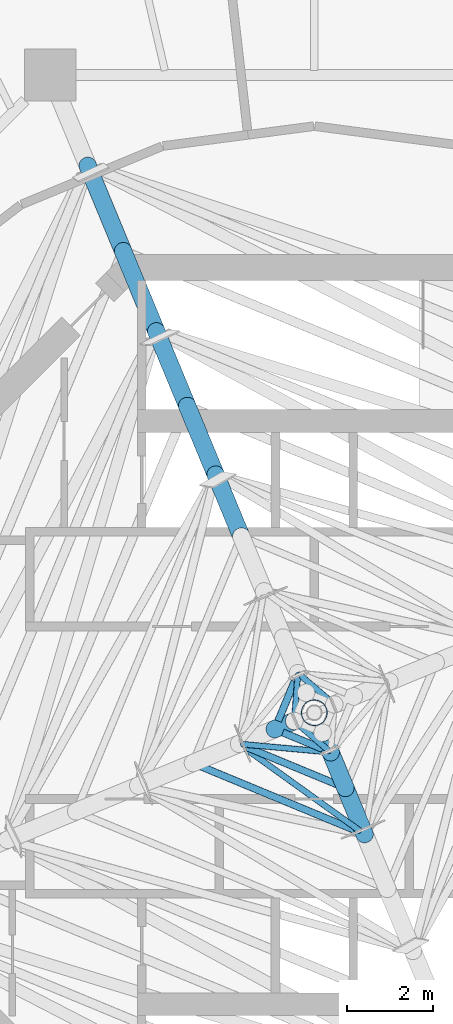
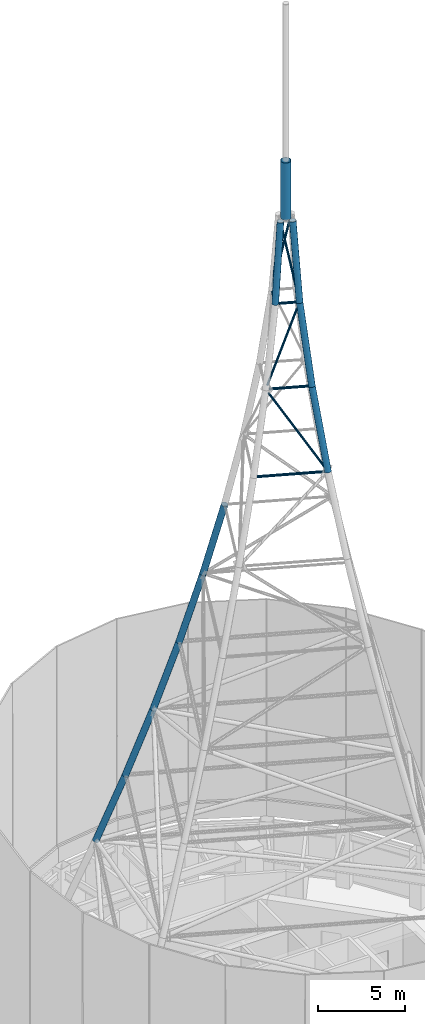
# One storey, part 12 of 25: 19 members.
"""IFC4 building model written with IfcOpenShell, lengths in metres."""

from ifc_helpers import new_model, si_unit, direction, frame, origin, origin_2d, place, context, subcontext, project, spatial, hollow_circle, extrude, material, material_profile, profile_set, type_object, element, save


model = new_model("IFC4")

# Units and contexts
model_context = context("Model", 3, precision=1e-05, world=origin(), true_north=direction((0.0, 1.0)))
body_context = subcontext(model_context, "Body", "Model", "MODEL_VIEW")
ifc_project = project(units=[si_unit("LENGTHUNIT", "METRE"), si_unit("AREAUNIT", "SQUARE_METRE"), si_unit("VOLUMEUNIT", "CUBIC_METRE"), si_unit("PLANEANGLEUNIT", "RADIAN"), si_unit("MASSUNIT", "GRAM", prefix="KILO")], contexts=[model_context])

# Site, building, storey
site_placement = place(None, origin())
site = spatial("IfcSite", under=ifc_project, at=site_placement, CompositionType="ELEMENT")
building_placement = place(site_placement, origin())
building = spatial("IfcBuilding", under=site, at=building_placement, Name="Nagisa Residences", CompositionType="ELEMENT")
storey_placement = place(building_placement, frame((0.0, 0.0, 340.89990234375)))
storey = spatial("IfcBuildingStorey", under=building, at=storey_placement, Name="L84", CompositionType="ELEMENT", Elevation=340.89990234375)

# Members
ifc_material_1 = material(Name="Steel ASTM A572 Gr 50", Category="steel")
ifc_material_profile_1 = material_profile(ifc_material_1, hollow_circle(Radius=0.06982421875, WallThickness=0.0048828125, at=origin_2d()), Name="MAST BRACE CHS 139.7x5")
ifc_profile_set_1 = profile_set([ifc_material_profile_1], Name="Steel ASTM A572 Gr 50")
member_type_1 = type_object("IfcMemberType", Name="MAST BRACE CHS 139.7x5", PredefinedType="BRACE", material=ifc_profile_set_1)
member_1_placement = place(storey_placement, frame((1.04541015625, -2.729736328125, 42.72998046875), z_axis=(-0.443520526364, 0.318968018503, 0.837585187229), x_axis=(-0.583862499156, -0.811852561787, 0.0)))
element("IfcMember", 1, at=member_1_placement, inside=storey, type_object=member_type_1, Name="Mast brace 8.3", PredefinedType="BRACE", context=body_context, shape_type="SweptSolid", body=[
    extrude(hollow_circle(Radius=0.06982421875, WallThickness=0.0048828125, at=origin_2d()), origin(), (0.0, 0.0, 1.0), 6.017578125),
])
member_2_placement = place(storey_placement, frame((-1.646484375, -0.73193359375, 48.255859375), z_axis=(0.360259980756, -0.032987331065, 0.932268514032), x_axis=(0.091183894816, 0.995834071182, 0.0)))
element("IfcMember", 2, at=member_2_placement, inside=storey, type_object=member_type_1, Name="Mast brace 9.3", PredefinedType="BRACE", context=body_context, shape_type="SweptSolid", body=[
    extrude(hollow_circle(Radius=0.06982421875, WallThickness=0.0048828125, at=origin_2d()), origin(), (0.0, 0.0, 1.0), 5.35107421875),
])
for number, where, z_axis, x_axis, name in (
    (3, (-0.338623046875, 0.882080078125, 53.76904296875), (0.150503906024, -0.129189350925, 0.980131973705), (0.651331804025, 0.758793042315, 0.0), "Mast brace 10.1"),
    (4, (-0.38427734375, 0.86328125, 53.76904296875), (-0.015093673855, -0.197809105917, 0.980124348553), (0.997101482326, -0.07608307264, 0.0), "Mast brace 10.2"),
    (5, (0.338623046875, -0.882080078125, 53.76904296875), (-0.150503906024, 0.129189350925, 0.980131973705), (-0.651331804025, -0.758793042315, 0.0), "Mast brace 10.3"),
):
    element("IfcMember", number, at=place(storey_placement, frame(where, z_axis=z_axis, x_axis=x_axis)), inside=storey, type_object=member_type_1, Name=name, PredefinedType="BRACE", context=body_context, shape_type="SweptSolid", body=[
        extrude(hollow_circle(Radius=0.06982421875, WallThickness=0.0048828125, at=origin_2d()), origin(), (0.0, 0.0, 1.0), 5.062744140625),
    ])
ifc_material_2 = material(Name="Steel ASTM A572 Gr 50", Category="steel")
ifc_material_profile_2 = material_profile(ifc_material_2, hollow_circle(Radius=0.203125, WallThickness=0.01611328125, at=origin_2d()), Name="MAST LEG CHS 406.4x16")
ifc_profile_set_2 = profile_set([ifc_material_profile_2], Name="Steel ASTM A572 Gr 50")
member_type_2 = type_object("IfcMemberType", Name="MAST LEG CHS 406.4x16", PredefinedType="CHORD", material=ifc_profile_set_2)
member_3_placement = place(storey_placement, frame((-5.256103515625, 12.689208984375, 9.5), z_axis=(0.138931057061, -0.335395040699, 0.931776973346), x_axis=(0.923873803533, 0.382697263049, 0.0)))
element("IfcMember", 6, at=member_3_placement, inside=storey, type_object=member_type_2, Name="Mast leg 2 segment 2", PredefinedType="CHORD", context=body_context, shape_type="SweptSolid", body=[
    extrude(hollow_circle(Radius=0.203125, WallThickness=0.01611328125, at=origin_2d()), origin(), (0.0, 0.0, 1.0), 5.902587890625),
])
member_4_placement = place(storey_placement, frame((-4.43603515625, 10.70947265625, 15.0), z_axis=(0.131517312665, -0.317517391622, 0.939087803396), x_axis=(0.92388230723, 0.382676733532, 0.0)))
element("IfcMember", 7, at=member_4_placement, inside=storey, type_object=member_type_2, Name="Mast leg 2 segment 3", PredefinedType="CHORD", context=body_context, shape_type="SweptSolid", body=[
    extrude(hollow_circle(Radius=0.203125, WallThickness=0.01611328125, at=origin_2d()), origin(), (0.0, 0.0, 1.0), 5.856689453125),
])
member_5_placement = place(storey_placement, frame((-3.665771484375, 8.849853515625, 20.5), z_axis=(0.123407190046, -0.297908402257, 0.94658398957), x_axis=(0.923869127569, 0.382708551152, 0.0)))
element("IfcMember", 8, at=member_5_placement, inside=storey, type_object=member_type_2, Name="Mast leg 2 segment 4", PredefinedType="CHORD", context=body_context, shape_type="SweptSolid", body=[
    extrude(hollow_circle(Radius=0.203125, WallThickness=0.01611328125, at=origin_2d()), origin(), (0.0, 0.0, 1.0), 5.810302734375),
])
member_6_placement = place(storey_placement, frame((-2.94873046875, 7.118896484375, 26.0), z_axis=(0.114409855656, -0.276261043536, 0.954248511004), x_axis=(0.923904615423, 0.382622871245, 0.0)))
element("IfcMember", 9, at=member_6_placement, inside=storey, type_object=member_type_2, Name="Mast leg 2 segment 5", PredefinedType="CHORD", context=body_context, shape_type="SweptSolid", body=[
    extrude(hollow_circle(Radius=0.203125, WallThickness=0.01611328125, at=origin_2d()), origin(), (0.0, 0.0, 1.0), 5.763671875),
])
member_7_placement = place(storey_placement, frame((-2.289306640625, 5.526611328125, 31.5), z_axis=(0.10433452248, -0.251889076375, 0.962115481957), x_axis=(0.923881282059, 0.382679208557, 0.0)))
element("IfcMember", 10, at=member_7_placement, inside=storey, type_object=member_type_2, Name="Mast leg 2 segment 6", PredefinedType="CHORD", context=body_context, shape_type="SweptSolid", body=[
    extrude(hollow_circle(Radius=0.203125, WallThickness=0.01611328125, at=origin_2d()), origin(), (0.0, 0.0, 1.0), 5.716552734375),
])
member_8_placement = place(storey_placement, frame((-0.91748046875, -0.380126953125, 53.5), z_axis=(0.08201679019, 0.034000491459, 0.996050808296), x_axis=(-0.382952836519, 0.923767895633, 0.0)))
element("IfcMember", 11, at=member_8_placement, inside=storey, type_object=member_type_2, Name="Mast leg 3 segment 10", PredefinedType="CHORD", context=body_context, shape_type="SweptSolid", body=[
    extrude(hollow_circle(Radius=0.203125, WallThickness=0.01611328125, at=origin_2d()), origin(), (0.0, 0.0, 1.0), 5.521728515625),
])
member_9_placement = place(storey_placement, frame((1.1669921875, -2.8173828125, 42.5), z_axis=(-0.079004826277, 0.190714784047, 0.978461092007), x_axis=(-0.923865528611, -0.382717239022, 0.0)))
element("IfcMember", 12, at=member_9_placement, inside=storey, type_object=member_type_2, Name="Mast leg 4 segment 8", PredefinedType="CHORD", context=body_context, shape_type="SweptSolid", body=[
    extrude(hollow_circle(Radius=0.203125, WallThickness=0.01611328125, at=origin_2d()), origin(), (0.0, 0.0, 1.0), 5.62109375),
])
member_10_placement = place(storey_placement, frame((0.722900390625, -1.745361328125, 48.0), z_axis=(-0.061511485435, 0.148565133269, 0.986987709314), x_axis=(-0.923937146753, -0.382544309655, 0.0)))
element("IfcMember", 13, at=member_10_placement, inside=storey, type_object=member_type_2, Name="Mast leg 4 segment 9", PredefinedType="CHORD", context=body_context, shape_type="SweptSolid", body=[
    extrude(hollow_circle(Radius=0.203125, WallThickness=0.01611328125, at=origin_2d()), origin(), (0.0, 0.0, 1.0), 5.572509765625),
])
member_11_placement = place(storey_placement, frame((0.380126953125, -0.91748046875, 53.5), z_axis=(-0.034000491459, 0.08201679019, 0.996050808296), x_axis=(-0.923767895633, -0.382952836519, 0.0)))
element("IfcMember", 14, at=member_11_placement, inside=storey, type_object=member_type_2, Name="Mast leg 4 segment 10", PredefinedType="CHORD", context=body_context, shape_type="SweptSolid", body=[
    extrude(hollow_circle(Radius=0.203125, WallThickness=0.01611328125, at=origin_2d()), origin(), (0.0, 0.0, 1.0), 5.521728515625),
])
ifc_material_3 = material(Name="Steel ASTM A572 Gr 50", Category="steel")
ifc_material_profile_3 = material_profile(ifc_material_3, hollow_circle(Radius=0.084228515625, WallThickness=0.00634765625, at=origin_2d()), Name="MAST RING CHS 168.3x6.3")
ifc_profile_set_3 = profile_set([ifc_material_profile_3], Name="Steel ASTM A572 Gr 50")
member_type_3 = type_object("IfcMemberType", Name="MAST RING CHS 168.3x6.3", PredefinedType="STRUT", material=ifc_profile_set_3)
member_12_placement = place(storey_placement, frame((-2.629638671875, -1.24462890625, 42.5), z_axis=(0.923877430595, -0.382688506801, 0.0), x_axis=(0.382688506801, 0.923877430595, 0.0)))
element("IfcMember", 15, at=member_12_placement, inside=storey, type_object=member_type_3, Name="Mast ring 7 side 3", PredefinedType="STRUT", context=body_context, shape_type="SweptSolid", body=[
    extrude(hollow_circle(Radius=0.084228515625, WallThickness=0.00634765625, at=origin_2d()), origin(), (0.0, 0.0, 1.0), 3.90625),
])
member_13_placement = place(storey_placement, frame((-1.5576171875, -0.80078125, 48.0), z_axis=(0.923903867645, -0.382624676871, 0.0), x_axis=(0.382624676871, 0.923903867645, 0.0)))
element("IfcMember", 16, at=member_13_placement, inside=storey, type_object=member_type_3, Name="Mast ring 8 side 3", PredefinedType="STRUT", context=body_context, shape_type="SweptSolid", body=[
    extrude(hollow_circle(Radius=0.084228515625, WallThickness=0.00634765625, at=origin_2d()), origin(), (0.0, 0.0, 1.0), 2.26513671875),
])
for number, where, z_axis, x_axis, name in (
    (17, (-0.457763671875, 0.729736328125, 53.5), (-0.382582243088, -0.92392143999, 0.0), (0.92392143999, -0.382582243088, 0.0), "Mast ring 9 side 2"),
    (18, (-0.729736328125, -0.457763671875, 53.5), (0.92392143999, -0.382582243088, 0.0), (0.382582243088, 0.92392143999, 0.0), "Mast ring 9 side 3"),
):
    element("IfcMember", number, at=place(storey_placement, frame(where, z_axis=z_axis, x_axis=x_axis)), inside=storey, type_object=member_type_3, Name=name, PredefinedType="STRUT", context=body_context, shape_type="SweptSolid", body=[
        extrude(hollow_circle(Radius=0.084228515625, WallThickness=0.00634765625, at=origin_2d()), origin(), (0.0, 0.0, 1.0), 0.998046875),
    ])
ifc_material_4 = material(Name="Steel ASTM A572 Gr 50", Category="steel")
ifc_material_profile_4 = material_profile(ifc_material_4, hollow_circle(Radius=0.304931640625, WallThickness=0.01611328125, at=origin_2d()), Name="SPIRE LOWER CHS 610x16")
ifc_profile_set_4 = profile_set([ifc_material_profile_4], Name="Steel ASTM A572 Gr 50")
member_type_4 = type_object("IfcMemberType", Name="SPIRE LOWER CHS 610x16", PredefinedType="POST", material=ifc_profile_set_4)
member_14_placement = place(storey_placement, frame((0.0, 0.0, 59.0), z_axis=(0.0, 0.0, 1.0), x_axis=(1.0, 0.0, 0.0)))
element("IfcMember", 19, at=member_14_placement, inside=storey, type_object=member_type_4, Name="Spire lower", PredefinedType="POST", context=body_context, shape_type="SweptSolid", body=[
    extrude(hollow_circle(Radius=0.304931640625, WallThickness=0.01611328125, at=origin_2d()), origin(), (0.0, 0.0, 1.0), 4.0),
])

save(model, "model.ifc")
